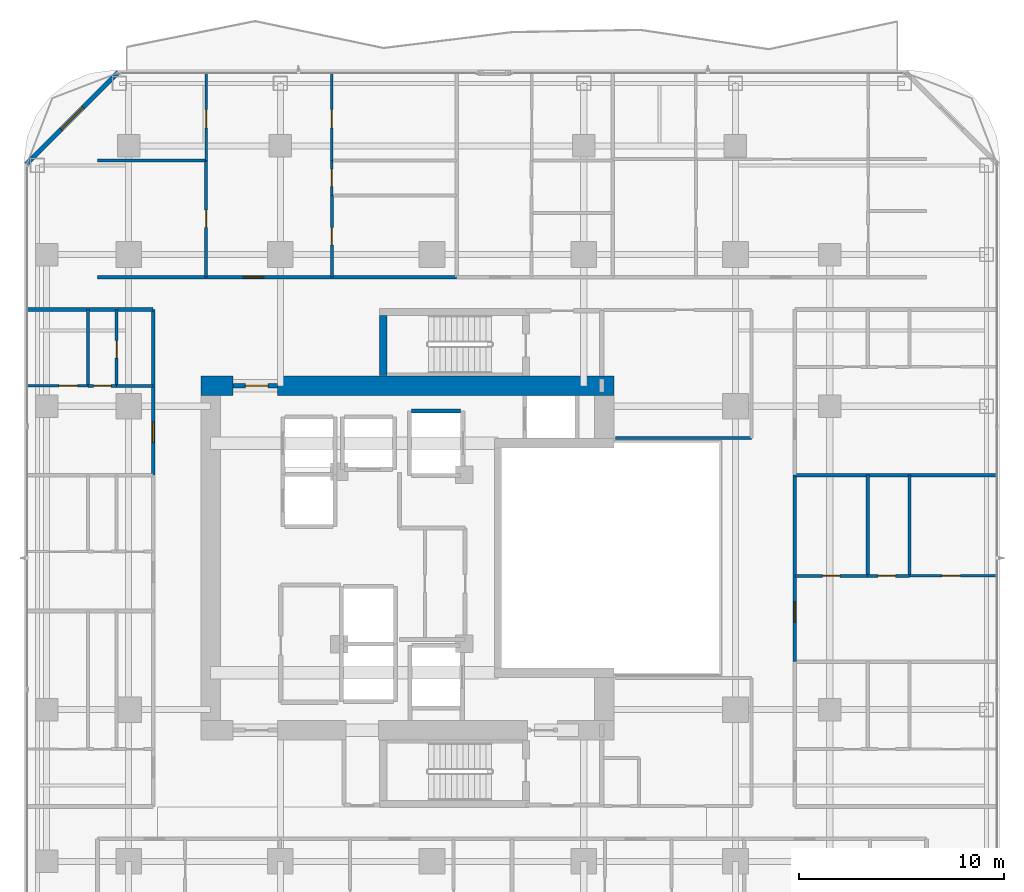
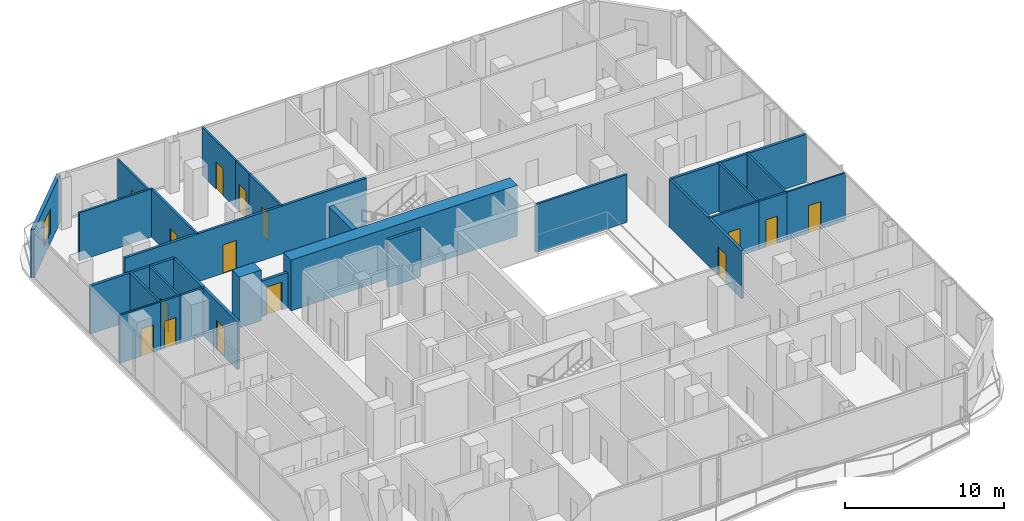
# One storey, part 21 of 29: 28 walls, 15 doors, 1 window, 16 openings.
"""IFC4 building model written with IfcOpenShell, lengths in metres."""

from ifc_helpers import new_model, si_unit, direction, frame, frame_2d, origin, place, context, subcontext, project, spatial, rectangle, extrude, material, layer, layer_set, type_object, element, fill, save


model = new_model("IFC4")

# Units and contexts
model_context = context("Model", 3, precision=1e-05, world=origin(), true_north=direction((0.0, 1.0)))
body_context = subcontext(model_context, "Body", "Model", "MODEL_VIEW")
ifc_project = project(units=[si_unit("LENGTHUNIT", "METRE"), si_unit("AREAUNIT", "SQUARE_METRE"), si_unit("VOLUMEUNIT", "CUBIC_METRE"), si_unit("PLANEANGLEUNIT", "RADIAN"), si_unit("MASSUNIT", "GRAM", prefix="KILO")], contexts=[model_context])

# Site, building, storey
site_placement = place(None, origin())
site = spatial("IfcSite", under=ifc_project, at=site_placement, CompositionType="ELEMENT")
building_placement = place(site_placement, origin())
building = spatial("IfcBuilding", under=site, at=building_placement, Name="Khorvyn Point Tower", CompositionType="ELEMENT")
storey_placement = place(building_placement, frame((0.0, 0.0, 144.60009765625)))
storey = spatial("IfcBuildingStorey", under=building, at=storey_placement, Name="L36", CompositionType="ELEMENT", Elevation=144.60009765625)

# Wall, opening, door
ifc_material_1 = material(Name="Double acoustic gypsum on twin steel stud", Category="steel")
ifc_layer_1 = layer(ifc_material_1, 0.179931640625)
ifc_layer_set_1 = layer_set([ifc_layer_1], Name="Acoustic Double-Stud Apartment Demising Wall 180")
wall_type_1 = type_object("IfcWallType", Name="Acoustic Double-Stud Apartment Demising Wall 180", PredefinedType="PARTITIONING", material=ifc_layer_set_1)
wall_1_placement = place(storey_placement, frame((-16.320068359375, 13.699951171875, 0.0), z_axis=(0.0, 0.0, 1.0), x_axis=(1.0, 0.0, 0.0)))
wall_1 = element("IfcWall", 1, at=wall_1_placement, inside=storey, type_object=wall_type_1, Name="Wall", PredefinedType="PARTITIONING", context=body_context, shape_type="SweptSolid", body=[
    extrude(rectangle(XDim=17.524169921875, YDim=0.179931640625, at=frame_2d((8.76220703125, 0.0))), origin(), (0.0, 0.0, 1.0), 3.679931640625),
])
opening_1_placement = place(wall_1_placement, frame((7.1044921875, 0.0, 0.0)))
opening_1 = element("IfcOpeningElement", 2, at=opening_1_placement, cuts=wall_1, Name="Opening ID-AP60", PredefinedType="OPENING", context=body_context, shape_type="SweptSolid", body=[
    extrude(rectangle(XDim=1.0, YDim=2.199951171875, at=frame_2d((0.5, 1.10009765625))), frame((0.0, 0.099853515625, 0.0), z_axis=(0.0, -1.0, 0.0), x_axis=(1.0, 0.0, 0.0)), (0.0, 0.0, 1.0), 0.199951171875),
])
ifc_material_2 = material(Name="Engineered hardwood fire-rated leaf", Category="wood")
door_type_1 = type_object("IfcDoorType", Name="Acoustic Solid-Core Timber Apartment Entrance Door 1000x2200", OperationType="NOTDEFINED", PredefinedType="DOOR", material=ifc_material_2)
door_1_placement = place(opening_1_placement, origin())
door_1 = element("IfcDoor", 3, at=door_1_placement, inside=storey, type_object=door_type_1, Name="Door", OperationType="SINGLE_SWING_RIGHT", OverallHeight=2.199951171875, OverallWidth=1.0, PredefinedType="DOOR", context=body_context, shape_type="SweptSolid", body=[
    extrude(rectangle(XDim=1.0, YDim=2.199951171875, at=frame_2d((0.5, 1.10009765625))), frame((0.0, 0.02490234375, 0.0), z_axis=(0.0, -1.0, 0.0), x_axis=(1.0, 0.0, 0.0)), (0.0, 0.0, 1.0), 0.050048828125),
])
fill(opening_1, door_1)

wall_2_placement = place(storey_placement, frame((-13.60009765625, 4.0400390625, 0.0), z_axis=(0.0, 0.0, 1.0), x_axis=(0.0, 1.0, 0.0)))
wall_2 = element("IfcWall", 4, at=wall_2_placement, inside=storey, type_object=wall_type_1, Name="Wall", PredefinedType="PARTITIONING", context=body_context, shape_type="SweptSolid", body=[
    extrude(rectangle(XDim=8.080078125, YDim=0.179931640625, at=frame_2d((4.0400390625, 0.0))), origin(), (0.0, 0.0, 1.0), 3.679931640625),
])
opening_2_placement = place(wall_2_placement, frame((1.583251953125, 0.0, 0.0)))
opening_2 = element("IfcOpeningElement", 5, at=opening_2_placement, cuts=wall_2, Name="Opening ID-AP60", PredefinedType="OPENING", context=body_context, shape_type="SweptSolid", body=[
    extrude(rectangle(XDim=1.0, YDim=2.199951171875, at=frame_2d((0.5, 1.10009765625))), frame((0.0, 0.099853515625, 0.0), z_axis=(0.0, -1.0, 0.0), x_axis=(1.0, 0.0, 0.0)), (0.0, 0.0, 1.0), 0.199951171875),
])
door_2_placement = place(opening_2_placement, origin())
door_2 = element("IfcDoor", 6, at=door_2_placement, inside=storey, type_object=door_type_1, Name="Door", OperationType="SINGLE_SWING_LEFT", OverallHeight=2.199951171875, OverallWidth=1.0, PredefinedType="DOOR", context=body_context, shape_type="SweptSolid", body=[
    extrude(rectangle(XDim=1.0, YDim=2.199951171875, at=frame_2d((0.5, 1.10009765625))), frame((0.0, 0.02490234375, 0.0), z_axis=(0.0, -1.0, 0.0), x_axis=(1.0, 0.0, 0.0)), (0.0, 0.0, 1.0), 0.050048828125),
])
fill(opening_2, door_2)

wall_3_placement = place(storey_placement, frame((17.699951171875, -5.05810546875, 0.0), z_axis=(0.0, 0.0, 1.0), x_axis=(0.0, 1.0, 0.0)))
wall_3 = element("IfcWall", 7, at=wall_3_placement, inside=storey, type_object=wall_type_1, Name="Wall", PredefinedType="PARTITIONING", context=body_context, shape_type="SweptSolid", body=[
    extrude(rectangle(XDim=9.09814453125, YDim=0.179931640625, at=frame_2d((4.549072265625, 0.0))), origin(), (0.0, 0.0, 1.0), 3.679931640625),
])
opening_3_placement = place(wall_3_placement, frame((1.927734375, 0.0, 0.0)))
opening_3 = element("IfcOpeningElement", 8, at=opening_3_placement, cuts=wall_3, Name="Opening ID-AP60", PredefinedType="OPENING", context=body_context, shape_type="SweptSolid", body=[
    extrude(rectangle(XDim=1.0, YDim=2.199951171875, at=frame_2d((0.5, 1.10009765625))), frame((0.0, 0.099853515625, 0.0), z_axis=(0.0, -1.0, 0.0), x_axis=(1.0, 0.0, 0.0)), (0.0, 0.0, 1.0), 0.199951171875),
])
door_3_placement = place(opening_3_placement, origin())
door_3 = element("IfcDoor", 9, at=door_3_placement, inside=storey, type_object=door_type_1, Name="Door", OperationType="SINGLE_SWING_LEFT", OverallHeight=2.199951171875, OverallWidth=1.0, PredefinedType="DOOR", context=body_context, shape_type="SweptSolid", body=[
    extrude(rectangle(XDim=1.0, YDim=2.199951171875, at=frame_2d((0.5, 1.10009765625))), frame((0.0, 0.02490234375, 0.0), z_axis=(0.0, -1.0, 0.0), x_axis=(1.0, 0.0, 0.0)), (0.0, 0.0, 1.0), 0.050048828125),
])
fill(opening_3, door_3)

# Walls
wall_4_placement = place(storey_placement, frame((-19.72998046875, 12.1201171875, 0.0), z_axis=(0.0, 0.0, 1.0), x_axis=(1.0, 0.0, 0.0)))
element("IfcWall", 10, at=wall_4_placement, inside=storey, type_object=wall_type_1, Name="Wall", PredefinedType="PARTITIONING", context=body_context, shape_type="SweptSolid", body=[
    extrude(rectangle(XDim=6.1298828125, YDim=0.179931640625, at=frame_2d((3.06494140625, 0.0))), origin(), (0.0, 0.0, 1.0), 3.679931640625),
])
wall_5_placement = place(storey_placement, frame((17.699951171875, 4.0400390625, 0.0), z_axis=(0.0, 0.0, 1.0), x_axis=(1.0, 0.0, 0.0)))
element("IfcWall", 11, at=wall_5_placement, inside=storey, type_object=wall_type_1, Name="Wall", PredefinedType="PARTITIONING", context=body_context, shape_type="SweptSolid", body=[
    extrude(rectangle(XDim=9.830078125, YDim=0.179931640625, at=frame_2d((4.9150390625, 0.0))), origin(), (0.0, 0.0, 1.0), 3.679931640625),
])

# Wall, opening, window
ifc_material_3 = material(Name="Pale anodised aluminium rainscreen on steel stud", Category="steel")
ifc_layer_2 = layer(ifc_material_3, 0.239990234375)
ifc_layer_set_2 = layer_set([ifc_layer_2], Name="Anodised Aluminium Insulated Corner Spandrel Wall 240")
wall_type_2 = type_object("IfcWallType", Name="Anodised Aluminium Insulated Corner Spandrel Wall 240", PredefinedType="SOLIDWALL", material=ifc_layer_set_2)
wall_6_placement = place(storey_placement, frame((-19.79248046875, 19.20751953125, 0.0), z_axis=(0.0, 0.0, 1.0), x_axis=(0.707106781187, 0.707106781187, 0.0)))
wall_6 = element("IfcWall", 12, at=wall_6_placement, inside=storey, type_object=wall_type_2, Name="L36 Rounded Corner Wall NW", PredefinedType="SOLIDWALL", context=body_context, shape_type="SweptSolid", body=[
    extrude(rectangle(XDim=6.342529296875, YDim=0.239990234375, at=frame_2d((3.17138671875, 0.0))), origin(), (0.0, 0.0, 1.0), 3.679931640625),
])
opening_4_placement = place(wall_6_placement, frame((2.42138671875, 0.0, 0.800048828125)))
opening_4 = element("IfcOpeningElement", 13, at=opening_4_placement, cuts=wall_6, Name="Opening WN-1518", PredefinedType="OPENING", context=body_context, shape_type="SweptSolid", body=[
    extrude(rectangle(XDim=1.5, YDim=1.85009765625, at=frame_2d((0.75, 0.925048828125))), frame((0.0, 0.1298828125, 0.0), z_axis=(0.0, -1.0, 0.0), x_axis=(1.0, 0.0, 0.0)), (0.0, 0.0, 1.0), 0.260009765625),
])
ifc_material_4 = material(Name="Anodised aluminium 6063-T6 and laminated Low-E glass", Category="aluminium")
window_type = type_object("IfcWindowType", Name="Anodised Aluminium Rounded-Corner Panoramic Window 1500x1850", PartitioningType="SINGLE_PANEL", PredefinedType="WINDOW", material=ifc_material_4)
window_placement = place(opening_4_placement, origin())
window = element("IfcWindow", 14, at=window_placement, inside=storey, type_object=window_type, Name="L36 Corner Panoramic Window NW", OverallHeight=1.85009765625, OverallWidth=1.5, PartitioningType="SINGLE_PANEL", PredefinedType="WINDOW", context=body_context, shape_type="SweptSolid", body=[
    extrude(rectangle(XDim=1.5, YDim=1.85009765625, at=frame_2d((0.75, 0.925048828125))), frame((0.0, 0.030029296875, 0.0), z_axis=(0.0, -1.0, 0.0), x_axis=(1.0, 0.0, 0.0)), (0.0, 0.0, 1.0), 0.06005859375),
])
fill(opening_4, window)

# Wall, opening, door
ifc_material_5 = material(Name="Concrete C40/50", Category="concrete")
ifc_layer_3 = layer(ifc_material_5, 0.199951171875)
ifc_layer_set_3 = layer_set([ifc_layer_3], Name="Concrete C40/50 Fire-Lobby Compartment Wall 200")
wall_type_3 = type_object("IfcWallType", Name="Concrete C40/50 Fire-Lobby Compartment Wall 200", PredefinedType="SOLIDWALL", material=ifc_layer_set_3)
wall_7_placement = place(storey_placement, frame((-9.699951171875, 8.39990234375, 0.0), z_axis=(0.0, 0.0, 1.0), x_axis=(1.0, 0.0, 0.0)))
wall_7 = element("IfcWall", 15, at=wall_7_placement, inside=storey, type_object=wall_type_3, Name="Wall", PredefinedType="SOLIDWALL", context=body_context, shape_type="SweptSolid", body=[
    extrude(rectangle(XDim=2.14990234375, YDim=0.199951171875, at=frame_2d((1.074951171875, 0.0))), origin(), (0.0, 0.0, 1.0), 2.719970703125),
])
opening_5_placement = place(wall_7_placement, frame((0.597900390625, 0.0, 0.0)))
opening_5 = element("IfcOpeningElement", 16, at=opening_5_placement, cuts=wall_7, Name="Opening ID-FL90", PredefinedType="OPENING", context=body_context, shape_type="SweptSolid", body=[
    extrude(rectangle(XDim=1.10009765625, YDim=2.14990234375, at=frame_2d((0.550048828125, 1.074951171875))), frame((0.0, 0.10986328125, 0.0), z_axis=(0.0, -1.0, 0.0), x_axis=(1.0, 0.0, 0.0)), (0.0, 0.0, 1.0), 0.219970703125),
])
ifc_material_6 = material(Name="Galvanised powder-coated steel", Category="steel")
door_type_2 = type_object("IfcDoorType", Name="Fire-Rated Steel Lobby and Stair Door 1100x2150", OperationType="NOTDEFINED", PredefinedType="DOOR", material=ifc_material_6)
door_4_placement = place(opening_5_placement, origin())
door_4 = element("IfcDoor", 17, at=door_4_placement, inside=storey, type_object=door_type_2, Name="Door", OperationType="SINGLE_SWING_RIGHT", OverallHeight=2.14990234375, OverallWidth=1.10009765625, PredefinedType="DOOR", context=body_context, shape_type="SweptSolid", body=[
    extrude(rectangle(XDim=1.10009765625, YDim=2.14990234375, at=frame_2d((0.550048828125, 1.074951171875))), frame((0.0, 0.02490234375, 0.0), z_axis=(0.0, -1.0, 0.0), x_axis=(1.0, 0.0, 0.0)), (0.0, 0.0, 1.0), 0.050048828125),
])
fill(opening_5, door_4)

# Walls
ifc_layer_4 = layer(ifc_material_5, 0.35009765625)
ifc_layer_set_4 = layer_set([ifc_layer_4], Name="Concrete C40/50 Stair Shaft Structural Wall 350")
wall_type_4 = type_object("IfcWallType", Name="Concrete C40/50 Stair Shaft Structural Wall 350", PredefinedType="SHEAR", material=ifc_layer_set_4)
wall_8_placement = place(storey_placement, frame((-2.3798828125, 8.89990234375, 0.0), z_axis=(0.0, 0.0, 1.0), x_axis=(0.0, 1.0, 0.0)))
element("IfcWall", 18, at=wall_8_placement, inside=storey, type_object=wall_type_4, Name="L36 ST-02 West Shaft Wall", PredefinedType="SHEAR", context=body_context, shape_type="SweptSolid", body=[
    extrude(rectangle(XDim=2.925048828125, YDim=0.35009765625, at=frame_2d((1.46240234375, 0.0))), origin(), (0.0, 0.0, 1.0), 3.89990234375),
])
ifc_layer_5 = layer(ifc_material_5, 0.199951171875)
ifc_layer_set_5 = layer_set([ifc_layer_5], Name="Concrete C40/50 Structural Hoistway and Stair Shaft Wall 200")
wall_type_5 = type_object("IfcWallType", Name="Concrete C40/50 Structural Hoistway and Stair Shaft Wall 200", PredefinedType="SHEAR", material=ifc_layer_set_5)
wall_9_placement = place(storey_placement, frame((-1.0, 7.175048828125, 0.0), z_axis=(0.0, 0.0, 1.0), x_axis=(1.0, 0.0, 0.0)))
element("IfcWall", 19, at=wall_9_placement, inside=storey, type_object=wall_type_5, Name="Wall", PredefinedType="SHEAR", context=body_context, shape_type="SweptSolid", body=[
    extrude(rectangle(XDim=2.39990234375, YDim=0.199951171875, at=frame_2d((1.199951171875, 0.0))), origin(), (0.0, 0.0, 1.0), 3.679931640625),
])
ifc_material_7 = material(Name="Concrete C50/60", Category="concrete")
ifc_layer_6 = layer(ifc_material_7, 0.949951171875)
ifc_layer_set_6 = layer_set([ifc_layer_6], Name="Concrete C50/60 Core Shear Wall 950")
wall_type_6 = type_object("IfcWallType", Name="Concrete C50/60 Core Shear Wall 950", PredefinedType="SHEAR", material=ifc_layer_set_6)
wall_10_placement = place(storey_placement, frame((-11.27490234375, 8.39990234375, 0.0), z_axis=(0.0, 0.0, 1.0), x_axis=(1.0, 0.0, 0.0)))
element("IfcWall", 20, at=wall_10_placement, inside=storey, type_object=wall_type_6, Name="Wall", PredefinedType="SHEAR", context=body_context, shape_type="SweptSolid", body=[
    extrude(rectangle(XDim=1.574951171875, YDim=0.949951171875, at=frame_2d((0.78759765625, 0.0))), origin(), (0.0, 0.0, 1.0), 3.89990234375),
])
wall_11_placement = place(storey_placement, frame((-7.550048828125, 8.39990234375, 0.0), z_axis=(0.0, 0.0, 1.0), x_axis=(1.0, 0.0, 0.0)))
element("IfcWall", 21, at=wall_11_placement, inside=storey, type_object=wall_type_6, Name="Wall", PredefinedType="SHEAR", context=body_context, shape_type="SweptSolid", body=[
    extrude(rectangle(XDim=16.425048828125, YDim=0.949951171875, at=frame_2d((8.21240234375, 0.0))), origin(), (0.0, 0.0, 1.0), 3.89990234375),
])

# Wall, opening, door
ifc_material_8 = material(Name="Gypsum plasterboard on steel stud", Category="steel")
ifc_layer_7 = layer(ifc_material_8, 0.1201171875)
ifc_layer_set_7 = layer_set([ifc_layer_7], Name="Gypsum Acoustic Stud Room Partition Wall 120")
wall_type_7 = type_object("IfcWallType", Name="Gypsum Acoustic Stud Room Partition Wall 120", PredefinedType="PARTITIONING", material=ifc_layer_set_7)
wall_12_placement = place(storey_placement, frame((-11.02392578125, 19.389892578125, 0.0), z_axis=(0.0, 0.0, 1.0), x_axis=(0.0, 1.0, 0.0)))
wall_12 = element("IfcWall", 22, at=wall_12_placement, inside=storey, type_object=wall_type_7, Name="Wall", PredefinedType="PARTITIONING", context=body_context, shape_type="SweptSolid", body=[
    extrude(rectangle(XDim=4.239990234375, YDim=0.1201171875, at=frame_2d((2.1201171875, 0.0))), origin(), (0.0, 0.0, 1.0), 3.369873046875),
])
opening_6_placement = place(wall_12_placement, frame((1.581298828125, 0.0, 0.0)))
opening_6 = element("IfcOpeningElement", 23, at=opening_6_placement, cuts=wall_12, Name="Opening ID-RM90", PredefinedType="OPENING", context=body_context, shape_type="SweptSolid", body=[
    extrude(rectangle(XDim=0.89990234375, YDim=2.10009765625, at=frame_2d((0.449951171875, 1.050048828125))), frame((0.0, 0.070068359375, 0.0), z_axis=(0.0, -1.0, 0.0), x_axis=(1.0, 0.0, 0.0)), (0.0, 0.0, 1.0), 0.14013671875),
])
ifc_material_9 = material(Name="Engineered oak veneer timber", Category="wood")
door_type_3 = type_object("IfcDoorType", Name="Flush Engineered Timber Room Door 900x2100", OperationType="NOTDEFINED", PredefinedType="DOOR", material=ifc_material_9)
door_5_placement = place(opening_6_placement, origin())
door_5 = element("IfcDoor", 24, at=door_5_placement, inside=storey, type_object=door_type_3, Name="Door", OperationType="SINGLE_SWING_RIGHT", OverallHeight=2.10009765625, OverallWidth=0.89990234375, PredefinedType="DOOR", context=body_context, shape_type="SweptSolid", body=[
    extrude(rectangle(XDim=0.89990234375, YDim=2.10009765625, at=frame_2d((0.449951171875, 1.050048828125))), frame((0.0, 0.02490234375, 0.0), z_axis=(0.0, -1.0, 0.0), x_axis=(1.0, 0.0, 0.0)), (0.0, 0.0, 1.0), 0.050048828125),
])
fill(opening_6, door_5)

wall_13_placement = place(storey_placement, frame((-4.889892578125, 17.68310546875, 0.0), z_axis=(0.0, 0.0, 1.0), x_axis=(0.0, 1.0, 0.0)))
wall_13 = element("IfcWall", 25, at=wall_13_placement, inside=storey, type_object=wall_type_7, Name="Wall", PredefinedType="PARTITIONING", context=body_context, shape_type="SweptSolid", body=[
    extrude(rectangle(XDim=1.706787109375, YDim=0.1201171875, at=frame_2d((0.853515625, 0.0))), origin(), (0.0, 0.0, 1.0), 3.679931640625),
])
opening_7_placement = place(wall_13_placement, frame((0.428466796875, 0.0, 0.0)))
opening_7 = element("IfcOpeningElement", 26, at=opening_7_placement, cuts=wall_13, Name="Opening ID-WC85", PredefinedType="OPENING", context=body_context, shape_type="SweptSolid", body=[
    extrude(rectangle(XDim=0.85009765625, YDim=2.10009765625, at=frame_2d((0.425048828125, 1.050048828125))), frame((0.0, 0.070068359375, 0.0), z_axis=(0.0, -1.0, 0.0), x_axis=(1.0, 0.0, 0.0)), (0.0, 0.0, 1.0), 0.14013671875),
])
ifc_material_10 = material(Name="High-pressure laminate on moisture-resistant core", Category="wood")
door_type_4 = type_object("IfcDoorType", Name="Moisture-Resistant Accessible Washroom Door 850x2100", OperationType="NOTDEFINED", PredefinedType="DOOR", material=ifc_material_10)
door_6_placement = place(opening_7_placement, origin())
door_6 = element("IfcDoor", 27, at=door_6_placement, inside=storey, type_object=door_type_4, Name="Door", OperationType="SINGLE_SWING_RIGHT", OverallHeight=2.10009765625, OverallWidth=0.85009765625, PredefinedType="DOOR", context=body_context, shape_type="SweptSolid", body=[
    extrude(rectangle(XDim=0.85009765625, YDim=2.10009765625, at=frame_2d((0.425048828125, 1.050048828125))), frame((0.0, 0.02490234375, 0.0), z_axis=(0.0, -1.0, 0.0), x_axis=(1.0, 0.0, 0.0)), (0.0, 0.0, 1.0), 0.050048828125),
])
fill(opening_7, door_6)

wall_14_placement = place(storey_placement, frame((-4.889892578125, 19.389892578125, 0.0), z_axis=(0.0, 0.0, 1.0), x_axis=(0.0, 1.0, 0.0)))
wall_14 = element("IfcWall", 28, at=wall_14_placement, inside=storey, type_object=wall_type_7, Name="Wall", PredefinedType="PARTITIONING", context=body_context, shape_type="SweptSolid", body=[
    extrude(rectangle(XDim=4.239990234375, YDim=0.1201171875, at=frame_2d((2.1201171875, 0.0))), origin(), (0.0, 0.0, 1.0), 3.679931640625),
])
opening_8_placement = place(wall_14_placement, frame((1.581298828125, 0.0, 0.0)))
opening_8 = element("IfcOpeningElement", 29, at=opening_8_placement, cuts=wall_14, Name="Opening ID-RM90", PredefinedType="OPENING", context=body_context, shape_type="SweptSolid", body=[
    extrude(rectangle(XDim=0.89990234375, YDim=2.10009765625, at=frame_2d((0.449951171875, 1.050048828125))), frame((0.0, 0.070068359375, 0.0), z_axis=(0.0, -1.0, 0.0), x_axis=(1.0, 0.0, 0.0)), (0.0, 0.0, 1.0), 0.14013671875),
])
door_7_placement = place(opening_8_placement, origin())
door_7 = element("IfcDoor", 30, at=door_7_placement, inside=storey, type_object=door_type_3, Name="Door", OperationType="SINGLE_SWING_LEFT", OverallHeight=2.10009765625, OverallWidth=0.89990234375, PredefinedType="DOOR", context=body_context, shape_type="SweptSolid", body=[
    extrude(rectangle(XDim=0.89990234375, YDim=2.10009765625, at=frame_2d((0.449951171875, 1.050048828125))), frame((0.0, 0.02490234375, 0.0), z_axis=(0.0, -1.0, 0.0), x_axis=(1.0, 0.0, 0.0)), (0.0, 0.0, 1.0), 0.050048828125),
])
fill(opening_8, door_7)

wall_15_placement = place(storey_placement, frame((-19.72998046875, 8.39404296875, 0.0), z_axis=(0.0, 0.0, 1.0), x_axis=(1.0, 0.0, 0.0)))
wall_15 = element("IfcWall", 31, at=wall_15_placement, inside=storey, type_object=wall_type_7, Name="Wall", PredefinedType="PARTITIONING", context=body_context, shape_type="SweptSolid", body=[
    extrude(rectangle(XDim=2.946044921875, YDim=0.1201171875, at=frame_2d((1.47314453125, 0.0))), origin(), (0.0, 0.0, 1.0), 3.679931640625),
])
opening_9_placement = place(wall_15_placement, frame((1.540771484375, 0.0, 0.0)))
opening_9 = element("IfcOpeningElement", 32, at=opening_9_placement, cuts=wall_15, Name="Opening ID-RM90", PredefinedType="OPENING", context=body_context, shape_type="SweptSolid", body=[
    extrude(rectangle(XDim=0.89990234375, YDim=2.10009765625, at=frame_2d((0.449951171875, 1.050048828125))), frame((0.0, 0.070068359375, 0.0), z_axis=(0.0, -1.0, 0.0), x_axis=(1.0, 0.0, 0.0)), (0.0, 0.0, 1.0), 0.14013671875),
])
door_8_placement = place(opening_9_placement, origin())
door_8 = element("IfcDoor", 33, at=door_8_placement, inside=storey, type_object=door_type_3, Name="Door", OperationType="SINGLE_SWING_RIGHT", OverallHeight=2.10009765625, OverallWidth=0.89990234375, PredefinedType="DOOR", context=body_context, shape_type="SweptSolid", body=[
    extrude(rectangle(XDim=0.89990234375, YDim=2.10009765625, at=frame_2d((0.449951171875, 1.050048828125))), frame((0.0, 0.02490234375, 0.0), z_axis=(0.0, -1.0, 0.0), x_axis=(1.0, 0.0, 0.0)), (0.0, 0.0, 1.0), 0.050048828125),
])
fill(opening_9, door_8)

wall_16_placement = place(storey_placement, frame((23.2900390625, -0.873046875, 0.0), z_axis=(0.0, 0.0, 1.0), x_axis=(1.0, 0.0, 0.0)))
wall_16 = element("IfcWall", 34, at=wall_16_placement, inside=storey, type_object=wall_type_7, Name="Wall", PredefinedType="PARTITIONING", context=body_context, shape_type="SweptSolid", body=[
    extrude(rectangle(XDim=4.239990234375, YDim=0.1201171875, at=frame_2d((2.1201171875, 0.0))), origin(), (0.0, 0.0, 1.0), 3.679931640625),
])
opening_10_placement = place(wall_16_placement, frame((1.581298828125, 0.0, 0.0)))
opening_10 = element("IfcOpeningElement", 35, at=opening_10_placement, cuts=wall_16, Name="Opening ID-RM90", PredefinedType="OPENING", context=body_context, shape_type="SweptSolid", body=[
    extrude(rectangle(XDim=0.89990234375, YDim=2.10009765625, at=frame_2d((0.449951171875, 1.050048828125))), frame((0.0, 0.070068359375, 0.0), z_axis=(0.0, -1.0, 0.0), x_axis=(1.0, 0.0, 0.0)), (0.0, 0.0, 1.0), 0.14013671875),
])
door_9_placement = place(opening_10_placement, origin())
door_9 = element("IfcDoor", 36, at=door_9_placement, inside=storey, type_object=door_type_3, Name="Door", OperationType="SINGLE_SWING_RIGHT", OverallHeight=2.10009765625, OverallWidth=0.89990234375, PredefinedType="DOOR", context=body_context, shape_type="SweptSolid", body=[
    extrude(rectangle(XDim=0.89990234375, YDim=2.10009765625, at=frame_2d((0.449951171875, 1.050048828125))), frame((0.0, 0.02490234375, 0.0), z_axis=(0.0, -1.0, 0.0), x_axis=(1.0, 0.0, 0.0)), (0.0, 0.0, 1.0), 0.050048828125),
])
fill(opening_10, door_9)

ifc_material_11 = material(Name="Moisture-resistant gypsum and cement board", Category="gypsum")
ifc_layer_8 = layer(ifc_material_11, 0.14990234375)
ifc_layer_set_8 = layer_set([ifc_layer_8], Name="Moisture-Resistant Wet-Room Partition Wall 150")
wall_type_8 = type_object("IfcWallType", Name="Moisture-Resistant Wet-Room Partition Wall 150", PredefinedType="PARTITIONING", material=ifc_layer_set_8)
wall_17_placement = place(storey_placement, frame((-11.02392578125, 13.699951171875, 0.0), z_axis=(0.0, 0.0, 1.0), x_axis=(0.0, 1.0, 0.0)))
wall_17 = element("IfcWall", 37, at=wall_17_placement, inside=storey, type_object=wall_type_8, Name="Wall", PredefinedType="PARTITIONING", context=body_context, shape_type="SweptSolid", body=[
    extrude(rectangle(XDim=5.68994140625, YDim=0.14990234375, at=frame_2d((2.844970703125, 0.0))), origin(), (0.0, 0.0, 1.0), 3.679931640625),
])
opening_11_placement = place(wall_17_placement, frame((2.419921875, 0.0, 0.0)))
opening_11 = element("IfcOpeningElement", 38, at=opening_11_placement, cuts=wall_17, Name="Opening ID-WC85", PredefinedType="OPENING", context=body_context, shape_type="SweptSolid", body=[
    extrude(rectangle(XDim=0.85009765625, YDim=2.10009765625, at=frame_2d((0.425048828125, 1.050048828125))), frame((0.0, 0.0849609375, 0.0), z_axis=(0.0, -1.0, 0.0), x_axis=(1.0, 0.0, 0.0)), (0.0, 0.0, 1.0), 0.169921875),
])
door_10_placement = place(opening_11_placement, origin())
door_10 = element("IfcDoor", 39, at=door_10_placement, inside=storey, type_object=door_type_4, Name="Door", OperationType="SINGLE_SWING_LEFT", OverallHeight=2.10009765625, OverallWidth=0.85009765625, PredefinedType="DOOR", context=body_context, shape_type="SweptSolid", body=[
    extrude(rectangle(XDim=0.85009765625, YDim=2.10009765625, at=frame_2d((0.425048828125, 1.050048828125))), frame((0.0, 0.02490234375, 0.0), z_axis=(0.0, -1.0, 0.0), x_axis=(1.0, 0.0, 0.0)), (0.0, 0.0, 1.0), 0.050048828125),
])
fill(opening_11, door_10)

wall_18_placement = place(storey_placement, frame((-4.889892578125, 13.699951171875, 0.0), z_axis=(0.0, 0.0, 1.0), x_axis=(0.0, 1.0, 0.0)))
wall_18 = element("IfcWall", 40, at=wall_18_placement, inside=storey, type_object=wall_type_8, Name="Wall", PredefinedType="PARTITIONING", context=body_context, shape_type="SweptSolid", body=[
    extrude(rectangle(XDim=3.983154296875, YDim=0.14990234375, at=frame_2d((1.99169921875, 0.0))), origin(), (0.0, 0.0, 1.0), 3.679931640625),
])
opening_12_placement = place(wall_18_placement, frame((1.56640625, 0.0, 0.0)))
opening_12 = element("IfcOpeningElement", 41, at=opening_12_placement, cuts=wall_18, Name="Opening ID-WC85", PredefinedType="OPENING", context=body_context, shape_type="SweptSolid", body=[
    extrude(rectangle(XDim=0.85009765625, YDim=2.10009765625, at=frame_2d((0.425048828125, 1.050048828125))), frame((0.0, 0.0849609375, 0.0), z_axis=(0.0, -1.0, 0.0), x_axis=(1.0, 0.0, 0.0)), (0.0, 0.0, 1.0), 0.169921875),
])
door_11_placement = place(opening_12_placement, origin())
door_11 = element("IfcDoor", 42, at=door_11_placement, inside=storey, type_object=door_type_4, Name="Door", OperationType="SINGLE_SWING_LEFT", OverallHeight=2.10009765625, OverallWidth=0.85009765625, PredefinedType="DOOR", context=body_context, shape_type="SweptSolid", body=[
    extrude(rectangle(XDim=0.85009765625, YDim=2.10009765625, at=frame_2d((0.425048828125, 1.050048828125))), frame((0.0, 0.02490234375, 0.0), z_axis=(0.0, -1.0, 0.0), x_axis=(1.0, 0.0, 0.0)), (0.0, 0.0, 1.0), 0.050048828125),
])
fill(opening_12, door_11)

wall_19_placement = place(storey_placement, frame((-16.783935546875, 8.39404296875, 0.0), z_axis=(0.0, 0.0, 1.0), x_axis=(1.0, 0.0, 0.0)))
wall_19 = element("IfcWall", 43, at=wall_19_placement, inside=storey, type_object=wall_type_8, Name="Wall", PredefinedType="PARTITIONING", context=body_context, shape_type="SweptSolid", body=[
    extrude(rectangle(XDim=1.39990234375, YDim=0.14990234375, at=frame_2d((0.699951171875, 0.0))), origin(), (0.0, 0.0, 1.0), 3.679931640625),
])
opening_13_placement = place(wall_19_placement, frame((0.27490234375, 0.0, 0.0)))
opening_13 = element("IfcOpeningElement", 44, at=opening_13_placement, cuts=wall_19, Name="Opening ID-WC85", PredefinedType="OPENING", context=body_context, shape_type="SweptSolid", body=[
    extrude(rectangle(XDim=0.85009765625, YDim=2.10009765625, at=frame_2d((0.425048828125, 1.050048828125))), frame((0.0, 0.0849609375, 0.0), z_axis=(0.0, -1.0, 0.0), x_axis=(1.0, 0.0, 0.0)), (0.0, 0.0, 1.0), 0.169921875),
])
door_12_placement = place(opening_13_placement, origin())
door_12 = element("IfcDoor", 45, at=door_12_placement, inside=storey, type_object=door_type_4, Name="Door", OperationType="SINGLE_SWING_RIGHT", OverallHeight=2.10009765625, OverallWidth=0.85009765625, PredefinedType="DOOR", context=body_context, shape_type="SweptSolid", body=[
    extrude(rectangle(XDim=0.85009765625, YDim=2.10009765625, at=frame_2d((0.425048828125, 1.050048828125))), frame((0.0, 0.02490234375, 0.0), z_axis=(0.0, -1.0, 0.0), x_axis=(1.0, 0.0, 0.0)), (0.0, 0.0, 1.0), 0.050048828125),
])
fill(opening_13, door_12)

# Wall
wall_20_placement = place(storey_placement, frame((-15.384033203125, 8.39404296875, 0.0), z_axis=(0.0, 0.0, 1.0), x_axis=(1.0, 0.0, 0.0)))
element("IfcWall", 46, at=wall_20_placement, inside=storey, type_object=wall_type_8, Name="Wall", PredefinedType="PARTITIONING", context=body_context, shape_type="SweptSolid", body=[
    extrude(rectangle(XDim=1.783935546875, YDim=0.14990234375, at=frame_2d((0.89208984375, 0.0))), origin(), (0.0, 0.0, 1.0), 3.679931640625),
])

# Wall, opening, door
wall_21_placement = place(storey_placement, frame((17.699951171875, -0.873046875, 0.0), z_axis=(0.0, 0.0, 1.0), x_axis=(1.0, 0.0, 0.0)))
wall_21 = element("IfcWall", 47, at=wall_21_placement, inside=storey, type_object=wall_type_8, Name="Wall", PredefinedType="PARTITIONING", context=body_context, shape_type="SweptSolid", body=[
    extrude(rectangle(XDim=3.552001953125, YDim=0.14990234375, at=frame_2d((1.77587890625, 0.0))), origin(), (0.0, 0.0, 1.0), 3.679931640625),
])
opening_14_placement = place(wall_21_placement, frame((1.35107421875, 0.0, 0.0)))
opening_14 = element("IfcOpeningElement", 48, at=opening_14_placement, cuts=wall_21, Name="Opening ID-WC85", PredefinedType="OPENING", context=body_context, shape_type="SweptSolid", body=[
    extrude(rectangle(XDim=0.85009765625, YDim=2.10009765625, at=frame_2d((0.425048828125, 1.050048828125))), frame((0.0, 0.0849609375, 0.0), z_axis=(0.0, -1.0, 0.0), x_axis=(1.0, 0.0, 0.0)), (0.0, 0.0, 1.0), 0.169921875),
])
door_13_placement = place(opening_14_placement, origin())
door_13 = element("IfcDoor", 49, at=door_13_placement, inside=storey, type_object=door_type_4, Name="Door", OperationType="SINGLE_SWING_RIGHT", OverallHeight=2.10009765625, OverallWidth=0.85009765625, PredefinedType="DOOR", context=body_context, shape_type="SweptSolid", body=[
    extrude(rectangle(XDim=0.85009765625, YDim=2.10009765625, at=frame_2d((0.425048828125, 1.050048828125))), frame((0.0, 0.02490234375, 0.0), z_axis=(0.0, -1.0, 0.0), x_axis=(1.0, 0.0, 0.0)), (0.0, 0.0, 1.0), 0.050048828125),
])
fill(opening_14, door_13)

wall_22_placement = place(storey_placement, frame((21.251953125, -0.873046875, 0.0), z_axis=(0.0, 0.0, 1.0), x_axis=(1.0, 0.0, 0.0)))
wall_22 = element("IfcWall", 50, at=wall_22_placement, inside=storey, type_object=wall_type_8, Name="Wall", PredefinedType="PARTITIONING", context=body_context, shape_type="SweptSolid", body=[
    extrude(rectangle(XDim=2.0380859375, YDim=0.14990234375, at=frame_2d((1.01904296875, 0.0))), origin(), (0.0, 0.0, 1.0), 3.679931640625),
])
opening_15_placement = place(wall_22_placement, frame((0.507080078125, 0.0, 0.0)))
opening_15 = element("IfcOpeningElement", 51, at=opening_15_placement, cuts=wall_22, Name="Opening ID-WC85", PredefinedType="OPENING", context=body_context, shape_type="SweptSolid", body=[
    extrude(rectangle(XDim=0.85009765625, YDim=2.10009765625, at=frame_2d((0.425048828125, 1.050048828125))), frame((0.0, 0.0849609375, 0.0), z_axis=(0.0, -1.0, 0.0), x_axis=(1.0, 0.0, 0.0)), (0.0, 0.0, 1.0), 0.169921875),
])
door_14_placement = place(opening_15_placement, origin())
door_14 = element("IfcDoor", 52, at=door_14_placement, inside=storey, type_object=door_type_4, Name="Door", OperationType="SINGLE_SWING_LEFT", OverallHeight=2.10009765625, OverallWidth=0.85009765625, PredefinedType="DOOR", context=body_context, shape_type="SweptSolid", body=[
    extrude(rectangle(XDim=0.85009765625, YDim=2.10009765625, at=frame_2d((0.425048828125, 1.050048828125))), frame((0.0, 0.02490234375, 0.0), z_axis=(0.0, -1.0, 0.0), x_axis=(1.0, 0.0, 0.0)), (0.0, 0.0, 1.0), 0.050048828125),
])
fill(opening_15, door_14)

# Walls
wall_23_placement = place(storey_placement, frame((8.9599609375, 5.85009765625, 0.0), z_axis=(0.0, 0.0, 1.0), x_axis=(1.0, 0.0, 0.0)))
element("IfcWall", 53, at=wall_23_placement, inside=storey, type_object=wall_type_8, Name="Wall", PredefinedType="PARTITIONING", context=body_context, shape_type="SweptSolid", body=[
    extrude(rectangle(XDim=6.6201171875, YDim=0.14990234375, at=frame_2d((3.31005859375, 0.0))), origin(), (0.0, 0.0, 1.0), 3.679931640625),
])
wall_24_placement = place(storey_placement, frame((-16.320068359375, 19.389892578125, 0.0), z_axis=(0.0, 0.0, 1.0), x_axis=(1.0, 0.0, 0.0)))
element("IfcWall", 54, at=wall_24_placement, inside=storey, type_object=wall_type_8, Name="Wall", PredefinedType="PARTITIONING", context=body_context, shape_type="SweptSolid", body=[
    extrude(rectangle(XDim=5.296142578125, YDim=0.14990234375, at=frame_2d((2.64794921875, 0.0))), origin(), (0.0, 0.0, 1.0), 3.679931640625),
])

# Wall, opening, door
wall_25_placement = place(storey_placement, frame((-15.384033203125, 8.39404296875, 0.0), z_axis=(0.0, 0.0, 1.0), x_axis=(0.0, 1.0, 0.0)))
wall_25 = element("IfcWall", 55, at=wall_25_placement, inside=storey, type_object=wall_type_8, Name="Wall", PredefinedType="PARTITIONING", context=body_context, shape_type="SweptSolid", body=[
    extrude(rectangle(XDim=3.72607421875, YDim=0.14990234375, at=frame_2d((1.863037109375, 0.0))), origin(), (0.0, 0.0, 1.0), 3.679931640625),
])
opening_16_placement = place(wall_25_placement, frame((1.352783203125, 0.0, 0.0)))
opening_16 = element("IfcOpeningElement", 56, at=opening_16_placement, cuts=wall_25, Name="Opening ID-WC85", PredefinedType="OPENING", context=body_context, shape_type="SweptSolid", body=[
    extrude(rectangle(XDim=0.85009765625, YDim=2.10009765625, at=frame_2d((0.425048828125, 1.050048828125))), frame((0.0, 0.0849609375, 0.0), z_axis=(0.0, -1.0, 0.0), x_axis=(1.0, 0.0, 0.0)), (0.0, 0.0, 1.0), 0.169921875),
])
door_15_placement = place(opening_16_placement, origin())
door_15 = element("IfcDoor", 57, at=door_15_placement, inside=storey, type_object=door_type_4, Name="Door", OperationType="SINGLE_SWING_LEFT", OverallHeight=2.10009765625, OverallWidth=0.85009765625, PredefinedType="DOOR", context=body_context, shape_type="SweptSolid", body=[
    extrude(rectangle(XDim=0.85009765625, YDim=2.10009765625, at=frame_2d((0.425048828125, 1.050048828125))), frame((0.0, 0.02490234375, 0.0), z_axis=(0.0, -1.0, 0.0), x_axis=(1.0, 0.0, 0.0)), (0.0, 0.0, 1.0), 0.050048828125),
])
fill(opening_16, door_15)

# Walls
wall_26_placement = place(storey_placement, frame((-16.783935546875, 8.39404296875, 0.0), z_axis=(0.0, 0.0, 1.0), x_axis=(0.0, 1.0, 0.0)))
element("IfcWall", 58, at=wall_26_placement, inside=storey, type_object=wall_type_8, Name="Wall", PredefinedType="PARTITIONING", context=body_context, shape_type="SweptSolid", body=[
    extrude(rectangle(XDim=3.72607421875, YDim=0.14990234375, at=frame_2d((1.863037109375, 0.0))), origin(), (0.0, 0.0, 1.0), 3.679931640625),
])
for number, where, z_axis, x_axis, name in (
    (59, (21.251953125, -0.873046875, 0.0), (0.0, 0.0, 1.0), (0.0, 1.0, 0.0), "Wall"),
    (60, (23.2900390625, -0.873046875, 0.0), (0.0, 0.0, 1.0), (0.0, 1.0, 0.0), "Wall"),
):
    element("IfcWall", number, at=place(storey_placement, frame(where, z_axis=z_axis, x_axis=x_axis)), inside=storey, type_object=wall_type_8, Name=name, PredefinedType="PARTITIONING", context=body_context, shape_type="SweptSolid", body=[
        extrude(rectangle(XDim=4.9130859375, YDim=0.14990234375, at=frame_2d((2.45654296875, 0.0))), origin(), (0.0, 0.0, 1.0), 3.679931640625),
    ])

save(model, "model.ifc")
